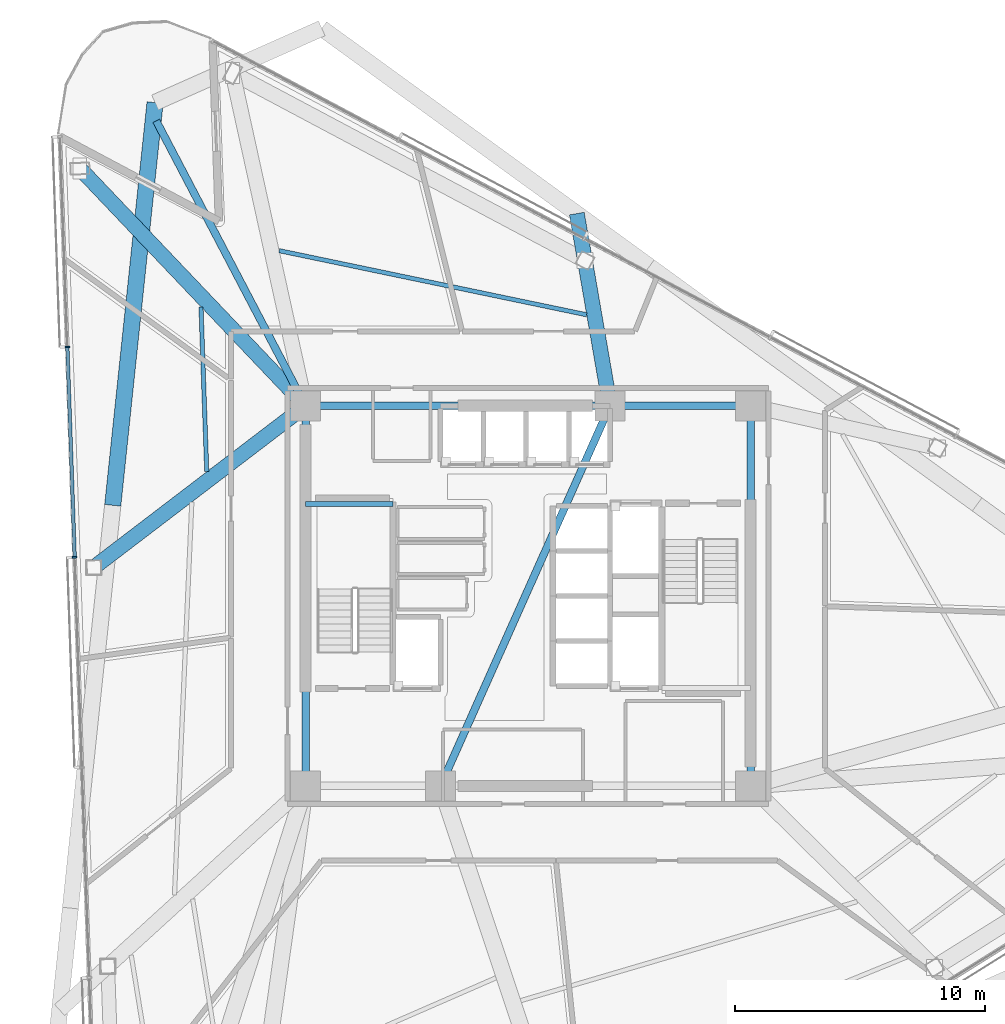
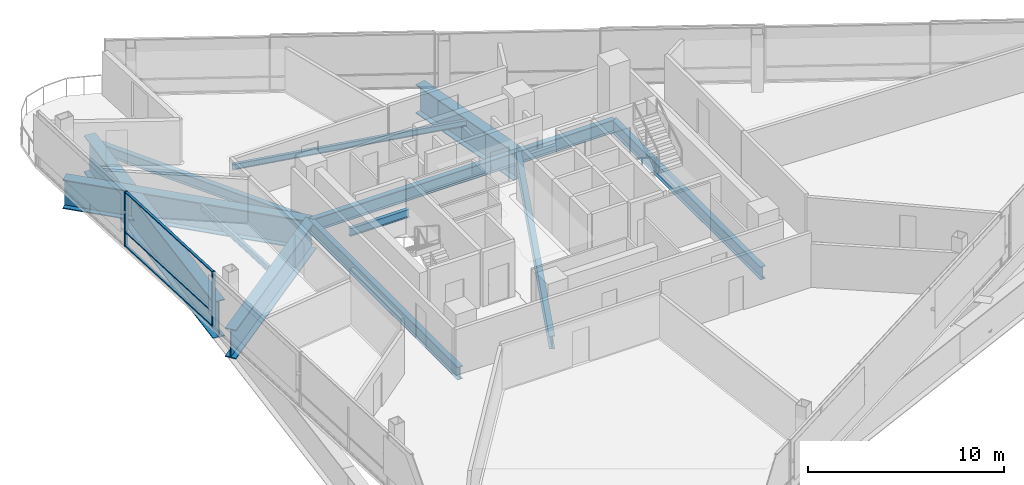
# One storey, part 7 of 20: 13 beams, 5 members, 1 element without a shape of its own.
"""IFC4 building model written with IfcOpenShell, lengths in metres."""

from ifc_helpers import new_model, si_unit, direction, frame, origin, origin_2d, place, context, subcontext, project, spatial, rectangle, i_section, extrude, material, layer, layer_set, material_profile, profile_set, type_object, element, aggregate, save


model = new_model("IFC4")

# Units and contexts
model_context = context("Model", 3, precision=1e-05, world=origin(), true_north=direction((0.0, 1.0)))
body_context = subcontext(model_context, "Body", "Model", "MODEL_VIEW")
ifc_project = project(units=[si_unit("LENGTHUNIT", "METRE"), si_unit("AREAUNIT", "SQUARE_METRE"), si_unit("VOLUMEUNIT", "CUBIC_METRE"), si_unit("PLANEANGLEUNIT", "RADIAN"), si_unit("MASSUNIT", "GRAM", prefix="KILO")], contexts=[model_context])

# Site, building, storey
site_placement = place(None, origin())
site = spatial("IfcSite", under=ifc_project, at=site_placement, CompositionType="ELEMENT")
building_placement = place(site_placement, origin())
building = spatial("IfcBuilding", under=site, at=building_placement, Name="Tharavind Bronze Gate", CompositionType="ELEMENT")
storey_placement = place(building_placement, frame((0.0, 0.0, 138.800048828125)))
storey = spatial("IfcBuildingStorey", under=building, at=storey_placement, Name="L35", CompositionType="ELEMENT", Elevation=138.800048828125)

# Curtain wall, members
ifc_material_1 = material(Name="Anodised Bronze Aluminium", Category="aluminium")
ifc_layer = layer(ifc_material_1, 0.219970703125)
ifc_layer_set = layer_set([ifc_layer], Name="Anodised Bronze Aluminium")
curtain_wall_type = type_object("IfcCurtainWallType", Name="UNITISED CURTAIN WALL MID OFFICE", PredefinedType="USERDEFINED", material=ifc_layer_set)
curtain_wall_placement = place(storey_placement, origin())
curtain_wall = element("IfcCurtainWall", 1, at=curtain_wall_placement, inside=storey, type_object=curtain_wall_type, Name="L35 unitised curtain wall mid office CW-L35-S1", ObjectType="UNITISED CURTAIN WALL", PredefinedType="USERDEFINED")
member_type_1 = type_object("IfcMemberType", Name="CURTAIN WALL BRONZE MULLION 65X180", PredefinedType="MULLION", material=ifc_material_1)
member_1_placement = place(storey_placement, frame((-18.426025390625, 9.955078125, 0.0), z_axis=(0.0, 0.0, 1.0), x_axis=(0.034899496703, -0.999390827019, 0.0)))
member_1 = element("IfcMember", 2, at=member_1_placement, type_object=member_type_1, Name="CW-L35-S1 mullion 2", PredefinedType="MULLION", context=body_context, shape_type="SweptSolid", body=[
    extrude(rectangle(XDim=0.06494140625, YDim=0.179931640625, at=origin_2d()), origin(), (0.0, 0.0, 1.0), 3.409912109375),
])
member_2_placement = place(storey_placement, frame((-18.132568359375, 1.545654296875, 0.0), z_axis=(0.0, 0.0, 1.0), x_axis=(0.034899496703, -0.999390827019, 0.0)))
member_2 = element("IfcMember", 3, at=member_2_placement, type_object=member_type_1, Name="CW-L35-S1 mullion 3", PredefinedType="MULLION", context=body_context, shape_type="SweptSolid", body=[
    extrude(rectangle(XDim=0.06494140625, YDim=0.179931640625, at=origin_2d()), origin(), (0.0, 0.0, 1.0), 3.409912109375),
])
member_type_2 = type_object("IfcMemberType", Name="CURTAIN WALL BRONZE TRANSOM 65X140", PredefinedType="USERDEFINED", material=ifc_material_1)
member_3_placement = place(storey_placement, frame((-18.279296875, 5.750244140625, 0.0), z_axis=(0.0, 0.0, 1.0), x_axis=(0.034899496703, -0.999390827019, 0.0)))
member_3 = element("IfcMember", 4, at=member_3_placement, type_object=member_type_2, Name="CW-L35-S1 transom TB2", ObjectType="TRANSOM", PredefinedType="USERDEFINED", context=body_context, shape_type="SweptSolid", body=[
    extrude(rectangle(XDim=8.361572265625, YDim=0.139892578125, at=origin_2d()), origin(), (0.0, 0.0, 1.0), 0.06494140625),
])
member_4_placement = place(storey_placement, frame((-18.279296875, 5.750244140625, 0.867431640625), z_axis=(0.0, 0.0, 1.0), x_axis=(0.034899496703, -0.999390827019, 0.0)))
member_4 = element("IfcMember", 5, at=member_4_placement, type_object=member_type_2, Name="CW-L35-S1 transom TS2", ObjectType="TRANSOM", PredefinedType="USERDEFINED", context=body_context, shape_type="SweptSolid", body=[
    extrude(rectangle(XDim=8.361572265625, YDim=0.139892578125, at=origin_2d()), origin(), (0.0, 0.0, 1.0), 0.06494140625),
])
member_5_placement = place(storey_placement, frame((-18.279296875, 5.750244140625, 3.344970703125), z_axis=(0.0, 0.0, 1.0), x_axis=(0.034899496703, -0.999390827019, 0.0)))
member_5 = element("IfcMember", 6, at=member_5_placement, type_object=member_type_2, Name="CW-L35-S1 transom TT2", ObjectType="TRANSOM", PredefinedType="USERDEFINED", context=body_context, shape_type="SweptSolid", body=[
    extrude(rectangle(XDim=8.361572265625, YDim=0.139892578125, at=origin_2d()), origin(), (0.0, 0.0, 1.0), 0.06494140625),
])
aggregate(curtain_wall, [member_1, member_2, member_3, member_4, member_5])

# Beams
ifc_material_2 = material(Name="Steel S355", Category="steel")
ifc_material_profile_1 = material_profile(ifc_material_2, i_section(OverallWidth=0.300048828125, OverallDepth=0.64990234375, WebThickness=0.01611328125, FlangeThickness=0.031005859375, at=origin_2d()), Name="HE650B")
ifc_profile_set_1 = profile_set([ifc_material_profile_1], Name="Steel S355")
beam_type_1 = type_object("IfcBeamType", Name="PRIMARY GIRDER HE650B", PredefinedType="USERDEFINED", material=ifc_profile_set_1)
beam_1_placement = place(storey_placement, frame((-8.89990234375, 7.60009765625, -0.51513671875), z_axis=(-0.464055196484, 0.88580628504, 0.0), x_axis=(-0.88580628504, -0.464055196484, 0.0)))
element("IfcBeam", 7, at=beam_1_placement, inside=storey, type_object=beam_type_1, Name="L35 primary girder he650b BM-L35-BLCSB", ObjectType="GIRDER", PredefinedType="USERDEFINED", context=body_context, shape_type="SweptSolid", body=[
    extrude(i_section(OverallWidth=0.300048828125, OverallDepth=0.64990234375, WebThickness=0.01611328125, FlangeThickness=0.031005859375, at=origin_2d()), origin(), (0.0, 0.0, 1.0), 12.86962890625),
])
ifc_material_profile_2 = material_profile(ifc_material_2, i_section(OverallWidth=0.199951171875, OverallDepth=0.5, WebThickness=0.01025390625, FlangeThickness=0.01611328125, at=origin_2d()), Name="IPE500")
ifc_profile_set_2 = profile_set([ifc_material_profile_2], Name="Steel S355")
beam_type_2 = type_object("IfcBeamType", Name="PRIMARY GIRDER IPE500", PredefinedType="USERDEFINED", material=ifc_profile_set_2)
beam_2_placement = place(storey_placement, frame((-8.89990234375, 3.679931640625, 1.349853515625), z_axis=(1.0, 0.0, 0.0), x_axis=(0.0, 1.0, 0.0)))
element("IfcBeam", 8, at=beam_2_placement, inside=storey, type_object=beam_type_2, Name="L35 primary girder ipe500 BM-LD-ST1-L35-1", ObjectType="GIRDER", PredefinedType="USERDEFINED", context=body_context, shape_type="SweptSolid", body=[
    extrude(i_section(OverallWidth=0.199951171875, OverallDepth=0.5, WebThickness=0.01025390625, FlangeThickness=0.01611328125, at=origin_2d()), origin(), (0.0, 0.0, 1.0), 3.5),
])
ifc_material_profile_3 = material_profile(ifc_material_2, i_section(OverallWidth=0.300048828125, OverallDepth=0.800048828125, WebThickness=0.017578125, FlangeThickness=0.032958984375, at=origin_2d()), Name="HE800B")
ifc_profile_set_3 = profile_set([ifc_material_profile_3], Name="Steel S355")
beam_type_3 = type_object("IfcBeamType", Name="RING GIRDER HE800B", PredefinedType="USERDEFINED", material=ifc_profile_set_3)
beam_3_placement = place(storey_placement, frame((8.89990234375, -7.60009765625, -0.590087890625), z_axis=(0.0, 1.0, 0.0), x_axis=(-1.0, 0.0, 0.0)))
element("IfcBeam", 9, at=beam_3_placement, inside=storey, type_object=beam_type_3, Name="L35 ring girder he800b BM-L35-CR3", ObjectType="GIRDER", PredefinedType="USERDEFINED", context=body_context, shape_type="SweptSolid", body=[
    extrude(i_section(OverallWidth=0.300048828125, OverallDepth=0.800048828125, WebThickness=0.017578125, FlangeThickness=0.032958984375, at=origin_2d()), origin(), (0.0, 0.0, 1.0), 15.2001953125),
])
beam_4_placement = place(storey_placement, frame((8.89990234375, 7.60009765625, -0.590087890625), z_axis=(-1.0, 0.0, 0.0), x_axis=(0.0, -1.0, 0.0)))
element("IfcBeam", 10, at=beam_4_placement, inside=storey, type_object=beam_type_3, Name="L35 ring girder he800b BM-L35-CR4", ObjectType="GIRDER", PredefinedType="USERDEFINED", context=body_context, shape_type="SweptSolid", body=[
    extrude(i_section(OverallWidth=0.300048828125, OverallDepth=0.800048828125, WebThickness=0.017578125, FlangeThickness=0.032958984375, at=origin_2d()), origin(), (0.0, 0.0, 1.0), 5.619873046875),
])
beam_5_placement = place(storey_placement, frame((3.280029296875, 7.60009765625, -0.590087890625), z_axis=(-1.0, 0.0, 0.0), x_axis=(0.0, -1.0, 0.0)))
element("IfcBeam", 11, at=beam_5_placement, inside=storey, type_object=beam_type_3, Name="L35 ring girder he800b BM-L35-CR5", ObjectType="GIRDER", PredefinedType="USERDEFINED", context=body_context, shape_type="SweptSolid", body=[
    extrude(i_section(OverallWidth=0.300048828125, OverallDepth=0.800048828125, WebThickness=0.017578125, FlangeThickness=0.032958984375, at=origin_2d()), origin(), (0.0, 0.0, 1.0), 12.179931640625),
])
beam_6_placement = place(storey_placement, frame((-8.89990234375, 7.60009765625, -0.590087890625), z_axis=(0.0, -1.0, 0.0), x_axis=(1.0, 0.0, 0.0)))
element("IfcBeam", 12, at=beam_6_placement, inside=storey, type_object=beam_type_3, Name="L35 ring girder he800b BM-L35-CR6", ObjectType="GIRDER", PredefinedType="USERDEFINED", context=body_context, shape_type="SweptSolid", body=[
    extrude(i_section(OverallWidth=0.300048828125, OverallDepth=0.800048828125, WebThickness=0.017578125, FlangeThickness=0.032958984375, at=origin_2d()), origin(), (0.0, 0.0, 1.0), 15.2001953125),
])
beam_7_placement = place(storey_placement, frame((-3.5, -7.60009765625, -0.590087890625), z_axis=(0.407361644566, 0.913266932795, 0.0), x_axis=(-0.913266932795, 0.407361644566, 0.0)))
element("IfcBeam", 13, at=beam_7_placement, inside=storey, type_object=beam_type_3, Name="L35 ring girder he800b BM-L35-CR7", ObjectType="GIRDER", PredefinedType="USERDEFINED", context=body_context, shape_type="SweptSolid", body=[
    extrude(i_section(OverallWidth=0.300048828125, OverallDepth=0.800048828125, WebThickness=0.017578125, FlangeThickness=0.032958984375, at=origin_2d()), origin(), (0.0, 0.0, 1.0), 16.643798828125),
])
ifc_material_profile_4 = material_profile(ifc_material_2, i_section(OverallWidth=0.169921875, OverallDepth=0.360107421875, WebThickness=0.008056640625, FlangeThickness=0.0126953125, at=origin_2d()), Name="IPE360")
ifc_profile_set_4 = profile_set([ifc_material_profile_4], Name="Steel S355")
beam_type_4 = type_object("IfcBeamType", Name="SECONDARY FLOOR JOIST IPE360", PredefinedType="JOIST", material=ifc_profile_set_4)
beam_8_placement = place(storey_placement, frame((-13.080810546875, 11.55810546875, -0.3701171875), z_axis=(0.03490980924, -0.999390466844, 0.0), x_axis=(0.999390466844, 0.03490980924, 0.0)))
element("IfcBeam", 14, at=beam_8_placement, inside=storey, type_object=beam_type_4, Name="L35 secondary floor joist ipe360 BM-L35-JSTA01", PredefinedType="JOIST", context=body_context, shape_type="SweptSolid", body=[
    extrude(i_section(OverallWidth=0.169921875, OverallDepth=0.360107421875, WebThickness=0.008056640625, FlangeThickness=0.0126953125, at=origin_2d()), origin(), (0.0, 0.0, 1.0), 6.5947265625),
])
beam_9_placement = place(storey_placement, frame((2.342529296875, 11.242431640625, -0.3701171875), z_axis=(-0.978933811507, 0.204177845735, 0.0), x_axis=(-0.204177845735, -0.978933811507, 0.0)))
element("IfcBeam", 15, at=beam_9_placement, inside=storey, type_object=beam_type_4, Name="L35 secondary floor joist ipe360 BM-L35-JSTA11", PredefinedType="JOIST", context=body_context, shape_type="SweptSolid", body=[
    extrude(i_section(OverallWidth=0.169921875, OverallDepth=0.360107421875, WebThickness=0.008056640625, FlangeThickness=0.0126953125, at=origin_2d()), origin(), (0.0, 0.0, 1.0), 12.5576171875),
])
ifc_material_3 = material(Name="Steel S460", Category="steel")
ifc_material_profile_5 = material_profile(ifc_material_3, i_section(OverallWidth=0.60009765625, OverallDepth=1.800048828125, WebThickness=0.031982421875, FlangeThickness=0.054931640625, at=origin_2d()), Name="PG1800X600")
ifc_profile_set_5 = profile_set([ifc_material_profile_5], Name="Steel S460")
beam_type_5 = type_object("IfcBeamType", Name="TRANSFER GIRDER 1800X600", PredefinedType="USERDEFINED", material=ifc_profile_set_5)
beam_10_placement = place(storey_placement, frame((-8.89990234375, 7.60009765625, -1.090087890625), z_axis=(-0.689043333113, 0.724720142602, 0.0), x_axis=(-0.724720142602, -0.689043333113, 0.0)))
element("IfcBeam", 16, at=beam_10_placement, inside=storey, type_object=beam_type_5, Name="L35 transfer girder 1800x600 BM-L35-XFR01", ObjectType="TRANSFER GIRDER", PredefinedType="USERDEFINED", context=body_context, shape_type="SweptSolid", body=[
    extrude(i_section(OverallWidth=0.60009765625, OverallDepth=1.800048828125, WebThickness=0.031982421875, FlangeThickness=0.054931640625, at=origin_2d()), origin(), (0.0, 0.0, 1.0), 13.09765625),
])
beam_11_placement = place(storey_placement, frame((-8.89990234375, 7.60009765625, -1.090087890625), z_axis=(-0.79500796779, -0.6065989871, 0.0), x_axis=(0.6065989871, -0.79500796779, 0.0)))
element("IfcBeam", 17, at=beam_11_placement, inside=storey, type_object=beam_type_5, Name="L35 transfer girder 1800x600 BM-L35-XFR02", ObjectType="TRANSFER GIRDER", PredefinedType="USERDEFINED", context=body_context, shape_type="SweptSolid", body=[
    extrude(i_section(OverallWidth=0.60009765625, OverallDepth=1.800048828125, WebThickness=0.031982421875, FlangeThickness=0.054931640625, at=origin_2d()), origin(), (0.0, 0.0, 1.0), 10.6513671875),
])
beam_12_placement = place(storey_placement, frame((3.280029296875, 7.60009765625, -1.090087890625), z_axis=(-0.170255779105, 0.985399903431, 0.0), x_axis=(-0.985399903431, -0.170255779105, 0.0)))
element("IfcBeam", 18, at=beam_12_placement, inside=storey, type_object=beam_type_5, Name="L35 transfer girder 1800x600 BM-L35-XFR11", ObjectType="TRANSFER GIRDER", PredefinedType="USERDEFINED", context=body_context, shape_type="SweptSolid", body=[
    extrude(i_section(OverallWidth=0.60009765625, OverallDepth=1.800048828125, WebThickness=0.031982421875, FlangeThickness=0.054931640625, at=origin_2d()), origin(), (0.0, 0.0, 1.0), 7.8037109375),
])
ifc_material_profile_6 = material_profile(ifc_material_3, i_section(OverallWidth=0.64990234375, OverallDepth=2.300048828125, WebThickness=0.035888671875, FlangeThickness=0.05810546875, at=origin_2d()), Name="PG2300X650")
ifc_profile_set_6 = profile_set([ifc_material_profile_6], Name="Steel S460")
beam_type_6 = type_object("IfcBeamType", Name="TRANSFER GIRDER 2300X650", PredefinedType="USERDEFINED", material=ifc_profile_set_6)
beam_13_placement = place(storey_placement, frame((-14.91748046875, 19.7314453125, -1.340087890625), z_axis=(-0.104522380175, -0.994522534708, 0.0), x_axis=(0.994522534708, -0.104522380175, 0.0)))
element("IfcBeam", 19, at=beam_13_placement, inside=storey, type_object=beam_type_6, Name="L35 transfer girder 2300x650 BM-L35-LRG01", ObjectType="TRANSFER GIRDER", PredefinedType="USERDEFINED", context=body_context, shape_type="SweptSolid", body=[
    extrude(i_section(OverallWidth=0.64990234375, OverallDepth=2.300048828125, WebThickness=0.035888671875, FlangeThickness=0.05810546875, at=origin_2d()), origin(), (0.0, 0.0, 1.0), 16.198486328125),
])

save(model, "model.ifc")
